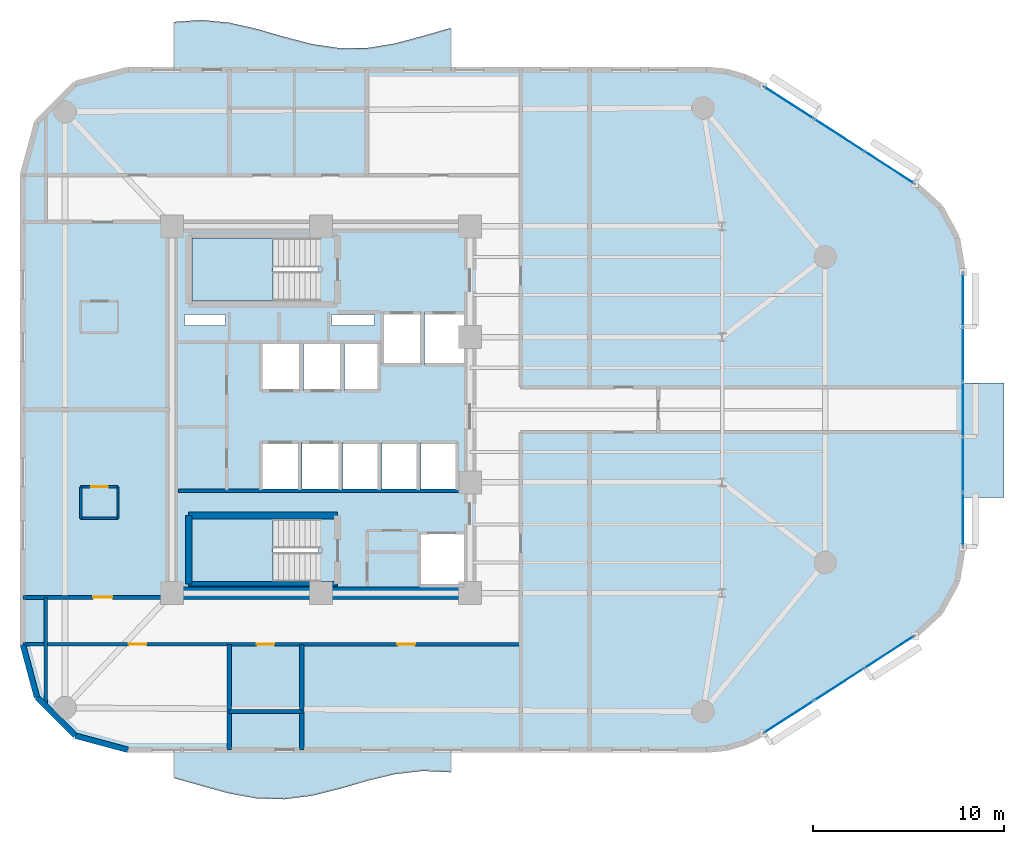
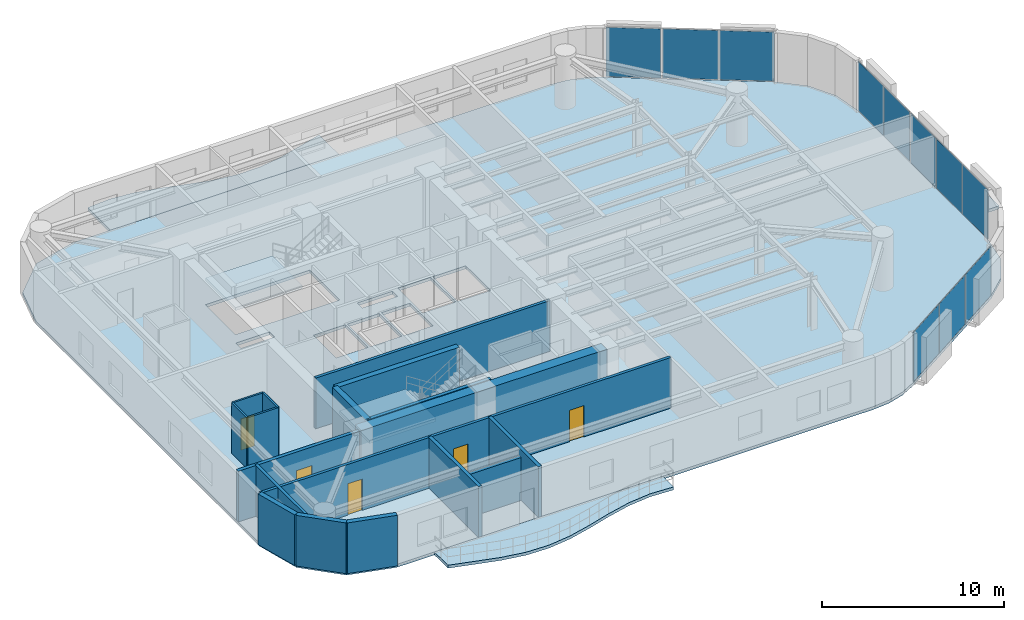
# One storey, part 9 of 15: 18 walls, 11 plates, 6 slabs, 5 doors, 5 openings, 5 elements without a shape of their own.
"""IFC4 building model written with IfcOpenShell, lengths in metres."""

from ifc_helpers import new_model, si_unit, direction, frame, frame_2d, origin, origin_2d, place, context, subcontext, project, spatial, polyline, rectangle, outline, extrude, material, layer, layer_set, type_object, element, fill, aggregate, save


model = new_model("IFC4")

# Units and contexts
model_context = context("Model", 3, precision=1e-05, world=origin(), true_north=direction((0.0, 1.0)))
body_context = subcontext(model_context, "Body", "Model", "MODEL_VIEW")
ifc_project = project(units=[si_unit("LENGTHUNIT", "METRE"), si_unit("AREAUNIT", "SQUARE_METRE"), si_unit("VOLUMEUNIT", "CUBIC_METRE"), si_unit("PLANEANGLEUNIT", "RADIAN"), si_unit("MASSUNIT", "GRAM", prefix="KILO")], contexts=[model_context])

# Site, building, storey
site_placement = place(None, origin())
site = spatial("IfcSite", under=ifc_project, at=site_placement, CompositionType="ELEMENT")
building_placement = place(site_placement, origin())
building = spatial("IfcBuilding", under=site, at=building_placement, Name="An Khanh Terracotta Commons", CompositionType="ELEMENT")
storey_placement = place(building_placement, frame((0.0, 0.0, 176.199951171875)))
storey = spatial("IfcBuildingStorey", under=building, at=storey_placement, Name="L46", CompositionType="ELEMENT", Elevation=176.199951171875)

# Curtain wall, plates
ifc_material_1 = material(Name="Anodised Aluminium 6063-T6", Category="aluminium")
ifc_layer_1 = layer(ifc_material_1, 0.2099609375, Name="Anodised Aluminium 6063-T6")
ifc_layer_set_1 = layer_set([ifc_layer_1], Name="Anodised Aluminium 6063-T6")
curtain_wall_type = type_object("IfcCurtainWallType", Name="CW-SYS-03", PredefinedType="USERDEFINED", material=ifc_layer_set_1)
curtain_wall_1_placement = place(storey_placement, origin())
curtain_wall_1 = element("IfcCurtainWall", 1, at=curtain_wall_1_placement, inside=storey, type_object=curtain_wall_type, Name="L46 CW-03 Unitised Curtain Wall CW-L46-08", ObjectType="UNITISED CURTAIN WALL", PredefinedType="USERDEFINED")
ifc_material_2 = material(Name="Acoustic Laminated Low-E Glazing", Category="glass")
ifc_layer_2 = layer(ifc_material_2, 0.035888671875, Name="Acoustic Laminated Low-E Glazing")
ifc_layer_set_2 = layer_set([ifc_layer_2], Name="Acoustic Laminated Low-E Glazing")
plate_type = type_object("IfcPlateType", Name="CWP-IGU-36", PredefinedType="CURTAIN_PANEL", material=ifc_layer_set_2)
plate_1_placement = place(storey_placement, frame((53.894287109375, 7.935546875, 0.0498046875), z_axis=(0.0, 0.0, 1.0), x_axis=(0.840702081986, 0.541497931062, 0.0)))
plate_1 = element("IfcPlate", 2, at=plate_1_placement, type_object=plate_type, Name="CW-03 panel 1.1", PredefinedType="CURTAIN_PANEL", context=body_context, shape_type="SweptSolid", body=[
    extrude(rectangle(XDim=3.034423828125, YDim=0.035888671875, at=origin_2d()), origin(), (0.0, 0.0, 1.0), 3.300048828125),
])
plate_2_placement = place(storey_placement, frame((56.51904296875, 9.6259765625, 0.0498046875), z_axis=(0.0, 0.0, 1.0), x_axis=(0.840702081986, 0.541497931062, 0.0)))
plate_2 = element("IfcPlate", 3, at=plate_2_placement, type_object=plate_type, Name="CW-03 panel 2.1", PredefinedType="CURTAIN_PANEL", context=body_context, shape_type="SweptSolid", body=[
    extrude(rectangle(XDim=3.0693359375, YDim=0.035888671875, at=origin_2d()), origin(), (0.0, 0.0, 1.0), 3.300048828125),
])
plate_3_placement = place(storey_placement, frame((59.1435546875, 11.31640625, 0.0498046875), z_axis=(0.0, 0.0, 1.0), x_axis=(0.840702081986, 0.541497931062, 0.0)))
plate_3 = element("IfcPlate", 4, at=plate_3_placement, type_object=plate_type, Name="CW-03 panel 3.1", PredefinedType="CURTAIN_PANEL", context=body_context, shape_type="SweptSolid", body=[
    extrude(rectangle(XDim=3.034423828125, YDim=0.035888671875, at=origin_2d()), origin(), (0.0, 0.0, 1.0), 3.300048828125),
])
aggregate(curtain_wall_1, [plate_1, plate_2, plate_3])

curtain_wall_2_placement = place(storey_placement, origin())
curtain_wall_2 = element("IfcCurtainWall", 5, at=curtain_wall_2_placement, inside=storey, type_object=curtain_wall_type, Name="L46 CW-03 Unitised Curtain Wall CW-L46-12", ObjectType="UNITISED CURTAIN WALL", PredefinedType="USERDEFINED")
plate_4_placement = place(storey_placement, frame((63.0, 18.257568359375, 0.0498046875), z_axis=(0.0, 0.0, 1.0), x_axis=(0.0, 1.0, 0.0)))
plate_4 = element("IfcPlate", 6, at=plate_4_placement, type_object=plate_type, Name="CW-03 panel 1.1", PredefinedType="CURTAIN_PANEL", context=body_context, shape_type="SweptSolid", body=[
    extrude(rectangle(XDim=2.77490234375, YDim=0.035888671875, at=origin_2d()), origin(), (0.0, 0.0, 1.0), 3.300048828125),
])
plate_5_placement = place(storey_placement, frame((63.0, 21.1201171875, 0.0498046875), z_axis=(0.0, 0.0, 1.0), x_axis=(0.0, 1.0, 0.0)))
plate_5 = element("IfcPlate", 7, at=plate_5_placement, type_object=plate_type, Name="CW-03 panel 2.1", PredefinedType="CURTAIN_PANEL", context=body_context, shape_type="SweptSolid", body=[
    extrude(rectangle(XDim=2.81005859375, YDim=0.035888671875, at=origin_2d()), origin(), (0.0, 0.0, 1.0), 3.300048828125),
])
plate_6_placement = place(storey_placement, frame((63.0, 24.0, 0.0498046875), z_axis=(0.0, 0.0, 1.0), x_axis=(0.0, 1.0, 0.0)))
plate_6 = element("IfcPlate", 8, at=plate_6_placement, type_object=plate_type, Name="CW-03 panel 3.1", PredefinedType="CURTAIN_PANEL", context=body_context, shape_type="SweptSolid", body=[
    extrude(rectangle(XDim=2.81005859375, YDim=0.035888671875, at=origin_2d()), origin(), (0.0, 0.0, 1.0), 3.300048828125),
])
plate_7_placement = place(storey_placement, frame((63.0, 26.8798828125, 0.0498046875), z_axis=(0.0, 0.0, 1.0), x_axis=(0.0, 1.0, 0.0)))
plate_7 = element("IfcPlate", 9, at=plate_7_placement, type_object=plate_type, Name="CW-03 panel 4.1", PredefinedType="CURTAIN_PANEL", context=body_context, shape_type="SweptSolid", body=[
    extrude(rectangle(XDim=2.81005859375, YDim=0.035888671875, at=origin_2d()), origin(), (0.0, 0.0, 1.0), 3.300048828125),
])
plate_8_placement = place(storey_placement, frame((63.0, 29.742431640625, 0.0498046875), z_axis=(0.0, 0.0, 1.0), x_axis=(0.0, 1.0, 0.0)))
plate_8 = element("IfcPlate", 10, at=plate_8_placement, type_object=plate_type, Name="CW-03 panel 5.1", PredefinedType="CURTAIN_PANEL", context=body_context, shape_type="SweptSolid", body=[
    extrude(rectangle(XDim=2.77490234375, YDim=0.035888671875, at=origin_2d()), origin(), (0.0, 0.0, 1.0), 3.300048828125),
])
aggregate(curtain_wall_2, [plate_4, plate_5, plate_6, plate_7, plate_8])

curtain_wall_3_placement = place(storey_placement, origin())
curtain_wall_3 = element("IfcCurtainWall", 11, at=curtain_wall_3_placement, inside=storey, type_object=curtain_wall_type, Name="L46 CW-03 Unitised Curtain Wall CW-L46-16", ObjectType="UNITISED CURTAIN WALL", PredefinedType="USERDEFINED")
plate_9_placement = place(storey_placement, frame((59.1435546875, 36.68359375, 0.0498046875), z_axis=(0.0, 0.0, 1.0), x_axis=(-0.840702081986, 0.541497931062, 0.0)))
plate_9 = element("IfcPlate", 12, at=plate_9_placement, type_object=plate_type, Name="CW-03 panel 1.1", PredefinedType="CURTAIN_PANEL", context=body_context, shape_type="SweptSolid", body=[
    extrude(rectangle(XDim=3.034423828125, YDim=0.035888671875, at=origin_2d()), origin(), (0.0, 0.0, 1.0), 3.300048828125),
])
plate_10_placement = place(storey_placement, frame((56.51904296875, 38.3740234375, 0.0498046875), z_axis=(0.0, 0.0, 1.0), x_axis=(-0.840702081986, 0.541497931062, 0.0)))
plate_10 = element("IfcPlate", 13, at=plate_10_placement, type_object=plate_type, Name="CW-03 panel 2.1", PredefinedType="CURTAIN_PANEL", context=body_context, shape_type="SweptSolid", body=[
    extrude(rectangle(XDim=3.0693359375, YDim=0.035888671875, at=origin_2d()), origin(), (0.0, 0.0, 1.0), 3.300048828125),
])
plate_11_placement = place(storey_placement, frame((53.894287109375, 40.064453125, 0.0498046875), z_axis=(0.0, 0.0, 1.0), x_axis=(-0.840702081986, 0.541497931062, 0.0)))
plate_11 = element("IfcPlate", 14, at=plate_11_placement, type_object=plate_type, Name="CW-03 panel 3.1", PredefinedType="CURTAIN_PANEL", context=body_context, shape_type="SweptSolid", body=[
    extrude(rectangle(XDim=3.034423828125, YDim=0.035888671875, at=origin_2d()), origin(), (0.0, 0.0, 1.0), 3.300048828125),
])
aggregate(curtain_wall_3, [plate_9, plate_10, plate_11])

# Slabs
ifc_material_3 = material(Name="Concrete C40/50", Category="concrete")
ifc_layer_3 = layer(ifc_material_3, 0.199951171875, Name="Concrete C40/50")
ifc_layer_set_3 = layer_set([ifc_layer_3], Name="Concrete C40/50")
slab_type_1 = type_object("IfcSlabType", Name="SLAB-BALC-200", PredefinedType="FLOOR", material=ifc_layer_set_3)
slab_1_placement = place(storey_placement, frame((0.0, 0.0, -0.199951171875)))
element("IfcSlab", 15, at=slab_1_placement, inside=storey, type_object=slab_type_1, Name="L46 S Sinusoidal Wave Balcony Slab", PredefinedType="FLOOR", context=body_context, shape_type="SweptSolid", body=[
    extrude(outline(polyline([(21.699951171875, 6.199951171875), (21.699951171875, 4.72509765625), (23.14990234375, 4.31591796875), (24.60009765625, 3.9169921875), (26.050048828125, 3.655029296875), (27.5, 3.613037109375), (28.949951171875, 3.802978515625), (30.39990234375, 4.1650390625), (31.85009765625, 4.5859375), (33.300048828125, 4.93310546875), (34.75, 5.094970703125), (36.199951171875, 5.02294921875), (36.199951171875, 6.199951171875), (21.699951171875, 6.199951171875)])), origin(), (0.0, 0.0, 1.0), 0.199951171875),
])
slab_2_placement = place(storey_placement, frame((0.0, 0.0, -0.199951171875)))
element("IfcSlab", 16, at=slab_2_placement, inside=storey, type_object=slab_type_1, Name="L46 N Sinusoidal Wave Balcony Slab", PredefinedType="FLOOR", context=body_context, shape_type="SweptSolid", body=[
    extrude(outline(polyline([(36.199951171875, 41.800048828125), (36.199951171875, 43.98193359375), (34.75, 43.56689453125), (33.300048828125, 43.177978515625), (31.85009765625, 42.93798828125), (30.39990234375, 42.923095703125), (28.949951171875, 43.136962890625), (27.5, 43.512939453125), (26.050048828125, 43.931884765625), (24.60009765625, 44.261962890625), (23.14990234375, 44.39892578125), (21.699951171875, 44.300048828125), (21.699951171875, 41.800048828125), (36.199951171875, 41.800048828125)])), origin(), (0.0, 0.0, 1.0), 0.199951171875),
])
ifc_layer_4 = layer(ifc_material_3, 0.22998046875, Name="Concrete C40/50")
ifc_layer_set_4 = layer_set([ifc_layer_4], Name="Concrete C40/50")
slab_type_2 = type_object("IfcSlabType", Name="SLAB-BOXROOF-230", PredefinedType="ROOF", material=ifc_layer_set_4)
slab_3_placement = place(storey_placement, frame((0.0, 0.0, -0.199951171875)))
element("IfcSlab", 17, at=slab_3_placement, inside=storey, type_object=slab_type_2, Name="L46 Shifted Social Kitchen Box Closing Roof Slab (L45)", PredefinedType="ROOF", context=body_context, shape_type="SweptSolid", body=[
    extrude(outline(polyline([(63.0, 19.39990234375), (65.14990234375, 19.39990234375), (65.14990234375, 25.39990234375), (63.0, 25.39990234375), (63.0, 19.39990234375)])), origin(), (0.0, 0.0, 1.0), 0.199951171875),
])

# Stair, slab
ifc_material_4 = material(Name="Precast concrete C40/50", Category="concrete")
stair_type = type_object("IfcStairType", Name="STAIR-CORE-1550", PredefinedType="HALF_TURN_STAIR", material=ifc_material_4)
stair_1_placement = place(storey_placement, origin())
stair_1 = element("IfcStair", 18, at=stair_1_placement, inside=storey, type_object=stair_type, Name="L46 Core Smokeproof Exit Stair ST-01", PredefinedType="HALF_TURN_STAIR")
ifc_layer_5 = layer(ifc_material_3, 0.18994140625, Name="Concrete C40/50")
ifc_layer_set_5 = layer_set([ifc_layer_5], Name="Concrete C40/50")
slab_type_3 = type_object("IfcSlabType", Name="SLAB-LANDING-190", PredefinedType="LANDING", material=ifc_layer_set_5)
slab_4_placement = place(storey_placement, frame((0.0, 0.0, 1.60009765625)))
slab_4 = element("IfcSlab", 19, at=slab_4_placement, type_object=slab_type_3, Name="ST-01 landing 1", PredefinedType="LANDING", context=body_context, shape_type="SweptSolid", body=[
    extrude(outline(polyline([(26.889892578125, 33.0), (22.64990234375, 33.0), (22.64990234375, 29.699951171875), (26.889892578125, 29.699951171875), (26.889892578125, 33.0)])), origin(), (0.0, 0.0, 1.0), 0.199951171875),
])
aggregate(stair_1, [slab_4])

stair_2_placement = place(storey_placement, origin())
stair_2 = element("IfcStair", 20, at=stair_2_placement, inside=storey, type_object=stair_type, Name="L46 Core Smokeproof Exit Stair ST-02", PredefinedType="HALF_TURN_STAIR")
slab_5_placement = place(storey_placement, frame((0.0, 0.0, 1.60009765625)))
slab_5 = element("IfcSlab", 21, at=slab_5_placement, type_object=slab_type_3, Name="ST-02 landing 1", PredefinedType="LANDING", context=body_context, shape_type="SweptSolid", body=[
    extrude(outline(polyline([(26.889892578125, 18.300048828125), (22.64990234375, 18.300048828125), (22.64990234375, 15.0), (26.889892578125, 15.0), (26.889892578125, 18.300048828125)])), origin(), (0.0, 0.0, 1.0), 0.199951171875),
])
aggregate(stair_2, [slab_5])

# Slab
ifc_layer_6 = layer(ifc_material_3, 0.199951171875, Name="Concrete C40/50")
ifc_layer_set_6 = layer_set([ifc_layer_6], Name="Concrete C40/50")
slab_type_4 = type_object("IfcSlabType", Name="SLAB-TYP-200", PredefinedType="FLOOR", material=ifc_layer_set_6)
slab_6_placement = place(storey_placement, frame((0.0, 0.0, -0.199951171875)))
element("IfcSlab", 22, at=slab_6_placement, inside=storey, type_object=slab_type_4, Name="L46 Structural Floor Slab", PredefinedType="FLOOR", context=body_context, shape_type="SweptSolid", body=[
    extrude(outline(polyline([(13.800048828125, 11.699951171875), (14.537109375, 8.949951171875), (16.550048828125, 6.93701171875), (19.300048828125, 6.199951171875), (49.58203125, 6.199951171875), (50.625, 6.300048828125), (51.6298828125, 6.594970703125), (52.56005859375, 7.075927734375), (60.47802734375, 12.176025390625), (61.825927734375, 13.403076171875), (62.697998046875, 15.0029296875), (63.0, 16.800048828125), (63.0, 31.199951171875), (62.697998046875, 32.9970703125), (61.825927734375, 34.596923828125), (60.47802734375, 35.823974609375), (52.56005859375, 40.924072265625), (51.6298828125, 41.405029296875), (50.625, 41.699951171875), (49.58203125, 41.800048828125), (19.300048828125, 41.800048828125), (16.550048828125, 41.06298828125), (14.537109375, 39.050048828125), (13.800048828125, 36.300048828125), (13.800048828125, 11.699951171875)]), holes=[polyline([(22.64990234375, 29.699951171875), (29.27001953125, 29.699951171875), (29.27001953125, 33.0), (22.64990234375, 33.0), (22.64990234375, 29.699951171875)]), polyline([(22.64990234375, 15.0), (29.27001953125, 15.0), (29.27001953125, 18.300048828125), (22.64990234375, 18.300048828125), (22.64990234375, 15.0)]), polyline([(32.60009765625, 26.35009765625), (34.679931640625, 26.35009765625), (34.679931640625, 29.080078125), (32.60009765625, 29.080078125), (32.60009765625, 26.35009765625)]), polyline([(34.820068359375, 26.35009765625), (36.89990234375, 26.35009765625), (36.89990234375, 29.080078125), (34.820068359375, 29.080078125), (34.820068359375, 26.35009765625)]), polyline([(34.550048828125, 14.800048828125), (36.89990234375, 14.800048828125), (36.89990234375, 17.550048828125), (34.550048828125, 17.550048828125), (34.550048828125, 14.800048828125)]), polyline([(26.320068359375, 25.0), (28.340087890625, 25.0), (28.340087890625, 27.5), (26.320068359375, 27.5), (26.320068359375, 25.0)]), polyline([(28.47998046875, 25.0), (30.5, 25.0), (30.5, 27.5), (28.47998046875, 27.5), (28.47998046875, 25.0)]), polyline([(26.280029296875, 19.800048828125), (28.280029296875, 19.800048828125), (28.280029296875, 22.300048828125), (26.280029296875, 22.300048828125), (26.280029296875, 19.800048828125)]), polyline([(28.419921875, 19.800048828125), (30.419921875, 19.800048828125), (30.419921875, 22.300048828125), (28.419921875, 22.300048828125), (28.419921875, 19.800048828125)]), polyline([(30.639892578125, 25.0), (32.4599609375, 25.0), (32.4599609375, 27.5), (30.639892578125, 27.5), (30.639892578125, 25.0)]), polyline([(30.56005859375, 19.800048828125), (32.4599609375, 19.800048828125), (32.4599609375, 22.300048828125), (30.56005859375, 22.300048828125), (30.56005859375, 19.800048828125)]), polyline([(32.60009765625, 19.800048828125), (34.5, 19.800048828125), (34.5, 22.300048828125), (32.60009765625, 22.300048828125), (32.60009765625, 19.800048828125)]), polyline([(34.639892578125, 19.800048828125), (36.5400390625, 19.800048828125), (36.5400390625, 22.300048828125), (34.639892578125, 22.300048828125), (34.639892578125, 19.800048828125)]), polyline([(22.25, 28.419921875), (24.39990234375, 28.419921875), (24.39990234375, 28.97998046875), (22.25, 28.97998046875), (22.25, 28.419921875)]), polyline([(29.949951171875, 28.419921875), (32.199951171875, 28.419921875), (32.199951171875, 28.97998046875), (29.949951171875, 28.97998046875), (29.949951171875, 28.419921875)])]), origin(), (0.0, 0.0, 1.0), 0.199951171875),
])

# Walls
ifc_material_5 = material(Name="Concrete C60/75", Category="concrete")
ifc_layer_7 = layer(ifc_material_5, 0.64990234375, Name="Concrete C60/75")
ifc_layer_set_7 = layer_set([ifc_layer_7], Name="Concrete C60/75")
wall_type_1 = type_object("IfcWallType", Name="WALL-CORE-650", PredefinedType="SHEAR", material=ifc_layer_set_7)
wall_1_placement = place(storey_placement, frame((37.199951171875, 14.39990234375, 0.0), z_axis=(0.0, 0.0, 1.0), x_axis=(-1.0, 0.0, 0.0)))
element("IfcWall", 23, at=wall_1_placement, inside=storey, type_object=wall_type_1, Name="L46 Core Wall CWALL-L46-S", PredefinedType="SHEAR", context=body_context, shape_type="SweptSolid", body=[
    extrude(rectangle(XDim=15.599853515625, YDim=0.64990234375, at=frame_2d((7.7998046875, 0.0))), origin(), (0.0, 0.0, 1.0), 3.400146484375),
])
ifc_material_6 = material(Name="Fire-Rated Gypsum Board on Steel Stud", Category="steel")
ifc_layer_8 = layer(ifc_material_6, 0.179931640625, Name="Fire-Rated Gypsum Board on Steel Stud")
ifc_layer_set_8 = layer_set([ifc_layer_8], Name="Fire-Rated Gypsum Board on Steel Stud")
wall_type_2 = type_object("IfcWallType", Name="WALL-CORR-180", PredefinedType="PARTITIONING", material=ifc_layer_set_8)
wall_2_placement = place(storey_placement, frame((21.949951171875, 19.760009765625, 0.0), z_axis=(0.0, 0.0, 1.0), x_axis=(1.0, 0.0, 0.0)))
element("IfcWall", 24, at=wall_2_placement, inside=storey, type_object=wall_type_2, Name="L46 Core Wall SVW-L46-N", PredefinedType="PARTITIONING", context=body_context, shape_type="SweptSolid", body=[
    extrude(rectangle(XDim=14.8701171875, YDim=0.179931640625, at=frame_2d((7.43505859375, 0.0))), origin(), (0.0, 0.0, 1.0), 3.400146484375),
])

# Wall, openings, doors
wall_3_placement = place(storey_placement, frame((13.800048828125, 11.719970703125, 0.0), z_axis=(0.0, 0.0, 1.0), x_axis=(1.0, 0.0, 0.0)))
wall_3 = element("IfcWall", 25, at=wall_3_placement, inside=storey, type_object=wall_type_2, Name="L46 Interior Partition IW-L46-E002", PredefinedType="PARTITIONING", context=body_context, shape_type="SweptSolid", body=[
    extrude(rectangle(XDim=26.050048828125, YDim=0.179931640625, at=frame_2d((13.02490234375, 0.0))), origin(), (0.0, 0.0, 1.0), 3.400146484375),
])
opening_1_placement = place(wall_3_placement, frame((12.239990234375, 0.0, 0.0)))
opening_1 = element("IfcOpeningElement", 26, at=opening_1_placement, cuts=wall_3, Name="Opening D-RM", PredefinedType="OPENING", context=body_context, shape_type="SweptSolid", body=[
    extrude(rectangle(XDim=0.919921875, YDim=2.10009765625, at=frame_2d((0.4599609375, 1.050048828125))), frame((0.0, 0.099853515625, 0.0), z_axis=(0.0, -1.0, 0.0), x_axis=(1.0, 0.0, 0.0)), (0.0, 0.0, 1.0), 0.199951171875),
])
opening_2_placement = place(wall_3_placement, frame((5.5400390625, 0.0, 0.0)))
opening_2 = element("IfcOpeningElement", 27, at=opening_2_placement, cuts=wall_3, Name="Opening D-RM", PredefinedType="OPENING", context=body_context, shape_type="SweptSolid", body=[
    extrude(rectangle(XDim=0.919921875, YDim=2.10009765625, at=frame_2d((0.4599609375, 1.050048828125))), frame((0.0, 0.099853515625, 0.0), z_axis=(0.0, -1.0, 0.0), x_axis=(1.0, 0.0, 0.0)), (0.0, 0.0, 1.0), 0.199951171875),
])
opening_3_placement = place(wall_3_placement, frame((19.60498046875, 0.0, 0.0)))
opening_3 = element("IfcOpeningElement", 28, at=opening_3_placement, cuts=wall_3, Name="Opening D-RM", PredefinedType="OPENING", context=body_context, shape_type="SweptSolid", body=[
    extrude(rectangle(XDim=0.919921875, YDim=2.10009765625, at=frame_2d((0.4599609375, 1.050048828125))), frame((0.0, 0.099853515625, 0.0), z_axis=(0.0, -1.0, 0.0), x_axis=(1.0, 0.0, 0.0)), (0.0, 0.0, 1.0), 0.199951171875),
])
ifc_material_7 = material(Name="Engineered Hardwood Timber Leaf", Category="wood")
door_type_1 = type_object("IfcDoorType", Name="DOOR-INT-920", OperationType="NOTDEFINED", PredefinedType="DOOR", material=ifc_material_7)
door_1_placement = place(opening_1_placement, origin())
door_1 = element("IfcDoor", 29, at=door_1_placement, inside=storey, type_object=door_type_1, Name="L46 HKP Housekeeping Linen Store Door", OperationType="SINGLE_SWING_RIGHT", OverallHeight=2.10009765625, OverallWidth=0.919921875, PredefinedType="DOOR", context=body_context, shape_type="SweptSolid", body=[
    extrude(rectangle(XDim=0.919921875, YDim=2.10009765625, at=frame_2d((0.4599609375, 1.050048828125))), frame((0.0, 0.02490234375, 0.0), z_axis=(0.0, -1.0, 0.0), x_axis=(1.0, 0.0, 0.0)), (0.0, 0.0, 1.0), 0.050048828125),
])
fill(opening_1, door_1)
door_2_placement = place(opening_2_placement, origin())
door_2 = element("IfcDoor", 30, at=door_2_placement, inside=storey, type_object=door_type_1, Name="L46 SW1 Academic Seminar Room Door", OperationType="SINGLE_SWING_RIGHT", OverallHeight=2.10009765625, OverallWidth=0.919921875, PredefinedType="DOOR", context=body_context, shape_type="SweptSolid", body=[
    extrude(rectangle(XDim=0.919921875, YDim=2.10009765625, at=frame_2d((0.4599609375, 1.050048828125))), frame((0.0, 0.02490234375, 0.0), z_axis=(0.0, -1.0, 0.0), x_axis=(1.0, 0.0, 0.0)), (0.0, 0.0, 1.0), 0.050048828125),
])
fill(opening_2, door_2)
door_3_placement = place(opening_3_placement, origin())
door_3 = element("IfcDoor", 31, at=door_3_placement, inside=storey, type_object=door_type_1, Name="L46 SWE Music Practice Room Door", OperationType="SINGLE_SWING_LEFT", OverallHeight=2.10009765625, OverallWidth=0.919921875, PredefinedType="DOOR", context=body_context, shape_type="SweptSolid", body=[
    extrude(rectangle(XDim=0.919921875, YDim=2.10009765625, at=frame_2d((0.4599609375, 1.050048828125))), frame((0.0, 0.02490234375, 0.0), z_axis=(0.0, -1.0, 0.0), x_axis=(1.0, 0.0, 0.0)), (0.0, 0.0, 1.0), 0.050048828125),
])
fill(opening_3, door_3)

# Walls
wall_4_placement = place(storey_placement, frame((15.0, 8.487060546875, 0.0), z_axis=(0.0, 0.0, 1.0), x_axis=(0.0, 1.0, 0.0)))
element("IfcWall", 32, at=wall_4_placement, inside=storey, type_object=wall_type_2, Name="L46 Interior Partition IW-L46-E010", PredefinedType="PARTITIONING", context=body_context, shape_type="SweptSolid", body=[
    extrude(rectangle(XDim=5.69287109375, YDim=0.179931640625, at=frame_2d((2.846435546875, 0.0))), origin(), (0.0, 0.0, 1.0), 3.400146484375),
])
ifc_layer_9 = layer(ifc_material_4, 0.300048828125, Name="Precast concrete C40/50")
ifc_layer_set_9 = layer_set([ifc_layer_9], Name="Precast concrete C40/50")
wall_type_3 = type_object("IfcWallType", Name="WALL-EXT-300", PredefinedType="SOLIDWALL", material=ifc_layer_set_9)
wall_5_placement = place(storey_placement, frame((13.800048828125, 11.699951171875, 0.0), z_axis=(0.0, 0.0, 1.0), x_axis=(0.258884674387, -0.965908238586, 0.0)))
element("IfcWall", 33, at=wall_5_placement, inside=storey, type_object=wall_type_3, Name="L46 Insulated Terracotta Exterior Wall 1", PredefinedType="SOLIDWALL", context=body_context, shape_type="SweptSolid", body=[
    extrude(rectangle(XDim=2.84716796875, YDim=0.300048828125, at=frame_2d((1.423583984375, 0.0))), origin(), (0.0, 0.0, 1.0), 3.400146484375),
])
wall_6_placement = place(storey_placement, frame((14.537109375, 8.949951171875, 0.0), z_axis=(0.0, 0.0, 1.0), x_axis=(0.707106781187, -0.707106781187, 0.0)))
element("IfcWall", 34, at=wall_6_placement, inside=storey, type_object=wall_type_3, Name="L46 Insulated Terracotta Exterior Wall 2", PredefinedType="SOLIDWALL", context=body_context, shape_type="SweptSolid", body=[
    extrude(rectangle(XDim=2.8466796875, YDim=0.300048828125, at=frame_2d((1.42333984375, 0.0))), origin(), (0.0, 0.0, 1.0), 3.400146484375),
])
wall_7_placement = place(storey_placement, frame((16.550048828125, 6.93701171875, 0.0), z_axis=(0.0, 0.0, 1.0), x_axis=(0.965908238586, -0.258884674387, 0.0)))
element("IfcWall", 35, at=wall_7_placement, inside=storey, type_object=wall_type_3, Name="L46 Insulated Terracotta Exterior Wall 3", PredefinedType="SOLIDWALL", context=body_context, shape_type="SweptSolid", body=[
    extrude(rectangle(XDim=2.84716796875, YDim=0.300048828125, at=frame_2d((1.423583984375, 0.0))), origin(), (0.0, 0.0, 1.0), 3.400146484375),
])
ifc_material_8 = material(Name="Acoustic Double-Stud Gypsum and Mineral Wool")
ifc_layer_10 = layer(ifc_material_8, 0.219970703125, Name="Acoustic Double-Stud Gypsum and Mineral Wool")
ifc_layer_set_10 = layer_set([ifc_layer_10], Name="Acoustic Double-Stud Gypsum and Mineral Wool")
wall_type_4 = type_object("IfcWallType", Name="WALL-PARTY-220", PredefinedType="PARTITIONING", material=ifc_layer_set_10)
wall_8_placement = place(storey_placement, frame((22.47998046875, 14.889892578125, 0.0), z_axis=(0.0, 0.0, 1.0), x_axis=(1.0, 0.0, 0.0)))
element("IfcWall", 36, at=wall_8_placement, inside=storey, type_object=wall_type_4, Name="L46 Core Wall STW-L46-S-S", PredefinedType="PARTITIONING", context=body_context, shape_type="SweptSolid", body=[
    extrude(rectangle(XDim=7.7900390625, YDim=0.219970703125, at=frame_2d((3.89501953125, 0.0))), origin(), (0.0, 0.0, 1.0), 3.400146484375),
])
wall_9_placement = place(storey_placement, frame((24.60009765625, 8.199951171875, 0.0), z_axis=(0.0, 0.0, 1.0), x_axis=(1.0, 0.0, 0.0)))
element("IfcWall", 37, at=wall_9_placement, inside=storey, type_object=wall_type_4, Name="L46 Interior Partition IW-L46-E001", PredefinedType="PARTITIONING", context=body_context, shape_type="SweptSolid", body=[
    extrude(rectangle(XDim=3.7998046875, YDim=0.219970703125, at=frame_2d((1.89990234375, 0.0))), origin(), (0.0, 0.0, 1.0), 2.882080078125),
])

# Wall, opening, door
wall_10_placement = place(storey_placement, frame((13.800048828125, 14.179931640625, 0.0), z_axis=(0.0, 0.0, 1.0), x_axis=(1.0, 0.0, 0.0)))
wall_10 = element("IfcWall", 38, at=wall_10_placement, inside=storey, type_object=wall_type_4, Name="L46 Interior Partition IW-L46-E003", PredefinedType="PARTITIONING", context=body_context, shape_type="SweptSolid", body=[
    extrude(rectangle(XDim=7.679931640625, YDim=0.219970703125, at=frame_2d((3.83984375, 0.0))), origin(), (0.0, 0.0, 1.0), 3.400146484375),
])
opening_4_placement = place(wall_10_placement, frame((3.679931640625, 0.0, 0.0)))
opening_4 = element("IfcOpeningElement", 39, at=opening_4_placement, cuts=wall_10, Name="Opening D-UN", PredefinedType="OPENING", context=body_context, shape_type="SweptSolid", body=[
    extrude(rectangle(XDim=1.0, YDim=2.14990234375, at=frame_2d((0.5, 1.074951171875))), frame((0.0, 0.119873046875, 0.0), z_axis=(0.0, -1.0, 0.0), x_axis=(1.0, 0.0, 0.0)), (0.0, 0.0, 1.0), 0.239990234375),
])
ifc_material_9 = material(Name="Solid-Core Hardwood Acoustic Fire Door", Category="wood")
door_type_2 = type_object("IfcDoorType", Name="DOOR-UNIT-1000", OperationType="NOTDEFINED", PredefinedType="DOOR", material=ifc_material_9)
door_4_placement = place(opening_4_placement, origin())
door_4 = element("IfcDoor", 40, at=door_4_placement, inside=storey, type_object=door_type_2, Name="L46 WW1 Kitchenette and Studio Apartment Door", OperationType="SINGLE_SWING_RIGHT", OverallHeight=2.14990234375, OverallWidth=1.0, PredefinedType="DOOR", context=body_context, shape_type="SweptSolid", body=[
    extrude(rectangle(XDim=1.0, YDim=2.14990234375, at=frame_2d((0.5, 1.074951171875))), frame((0.0, 0.02490234375, 0.0), z_axis=(0.0, -1.0, 0.0), x_axis=(1.0, 0.0, 0.0)), (0.0, 0.0, 1.0), 0.050048828125),
])
fill(opening_4, door_4)

# Walls
for number, where, z_axis, x_axis, name in (
    (41, (24.60009765625, 6.199951171875, 0.0), (0.0, 0.0, 1.0), (0.0, 1.0, 0.0), "L46 Interior Partition IW-L46-E012"),
    (42, (28.39990234375, 6.199951171875, 0.0), (0.0, 0.0, 1.0), (0.0, 1.0, 0.0), "L46 Interior Partition IW-L46-E015"),
):
    element("IfcWall", number, at=place(storey_placement, frame(where, z_axis=z_axis, x_axis=x_axis)), inside=storey, type_object=wall_type_4, Name=name, PredefinedType="PARTITIONING", context=body_context, shape_type="SweptSolid", body=[
        extrude(rectangle(XDim=5.52001953125, YDim=0.219970703125, at=frame_2d((2.760009765625, 0.0))), origin(), (0.0, 0.0, 1.0), 3.400146484375),
    ])
ifc_material_10 = material(Name="Concrete C50/60", Category="concrete")
ifc_layer_11 = layer(ifc_material_10, 0.35009765625, Name="Concrete C50/60")
ifc_layer_set_11 = layer_set([ifc_layer_11], Name="Concrete C50/60")
wall_type_5 = type_object("IfcWallType", Name="WALL-SHAFT-350", PredefinedType="SOLIDWALL", material=ifc_layer_set_11)
wall_11_placement = place(storey_placement, frame((22.47998046875, 18.469970703125, 0.0), z_axis=(0.0, 0.0, 1.0), x_axis=(1.0, 0.0, 0.0)))
element("IfcWall", 43, at=wall_11_placement, inside=storey, type_object=wall_type_5, Name="L46 Core Wall STW-L46-S-N", PredefinedType="SOLIDWALL", context=body_context, shape_type="SweptSolid", body=[
    extrude(rectangle(XDim=7.7900390625, YDim=0.35009765625, at=frame_2d((3.89501953125, 0.0))), origin(), (0.0, 0.0, 1.0), 3.400146484375),
])
wall_12_placement = place(storey_placement, frame((22.47998046875, 14.889892578125, 0.0), z_axis=(0.0, 0.0, 1.0), x_axis=(0.0, 1.0, 0.0)))
element("IfcWall", 44, at=wall_12_placement, inside=storey, type_object=wall_type_5, Name="L46 Core Wall STW-L46-S-W", PredefinedType="SOLIDWALL", context=body_context, shape_type="SweptSolid", body=[
    extrude(rectangle(XDim=3.580078125, YDim=0.35009765625, at=frame_2d((1.7900390625, 0.0))), origin(), (0.0, 0.0, 1.0), 3.400146484375),
])

# Wall, opening, door
ifc_material_11 = material(Name="Moisture-Resistant Cement Board Partition")
ifc_layer_12 = layer(ifc_material_11, 0.1201171875, Name="Moisture-Resistant Cement Board Partition")
ifc_layer_set_12 = layer_set([ifc_layer_12], Name="Moisture-Resistant Cement Board Partition")
wall_type_6 = type_object("IfcWallType", Name="WALL-WET-120", PredefinedType="PARTITIONING", material=ifc_layer_set_12)
wall_13_placement = place(storey_placement, frame((16.824951171875, 19.965087890625, 0.0), z_axis=(0.0, 0.0, 1.0), x_axis=(1.0, 0.0, 0.0)))
wall_13 = element("IfcWall", 45, at=wall_13_placement, inside=storey, type_object=wall_type_6, Name="L46 Interior Partition IW-L46-WW1-BN", PredefinedType="PARTITIONING", context=body_context, shape_type="SweptSolid", body=[
    extrude(rectangle(XDim=1.949951171875, YDim=0.1201171875, at=frame_2d((0.97509765625, 0.0))), origin(), (0.0, 0.0, 1.0), 3.400146484375),
])
opening_5_placement = place(wall_13_placement, frame((0.544921875, 0.0, 0.0)))
opening_5 = element("IfcOpeningElement", 46, at=opening_5_placement, cuts=wall_13, Name="Opening D-ENS", PredefinedType="OPENING", context=body_context, shape_type="SweptSolid", body=[
    extrude(rectangle(XDim=0.860107421875, YDim=2.10009765625, at=frame_2d((0.43017578125, 1.050048828125))), frame((0.0, 0.070068359375, 0.0), z_axis=(0.0, -1.0, 0.0), x_axis=(1.0, 0.0, 0.0)), (0.0, 0.0, 1.0), 0.14013671875),
])
ifc_material_12 = material(Name="Moisture-Resistant Hardwood Timber Leaf", Category="wood")
door_type_3 = type_object("IfcDoorType", Name="DOOR-BATH-860", OperationType="NOTDEFINED", PredefinedType="DOOR", material=ifc_material_12)
door_5_placement = place(opening_5_placement, origin())
door_5 = element("IfcDoor", 47, at=door_5_placement, inside=storey, type_object=door_type_3, Name="L46 Studio WW1 En-suite Door", OperationType="SINGLE_SWING_RIGHT", OverallHeight=2.10009765625, OverallWidth=0.860107421875, PredefinedType="DOOR", context=body_context, shape_type="SweptSolid", body=[
    extrude(rectangle(XDim=0.860107421875, YDim=2.10009765625, at=frame_2d((0.43017578125, 1.050048828125))), frame((0.0, 0.02490234375, 0.0), z_axis=(0.0, -1.0, 0.0), x_axis=(1.0, 0.0, 0.0)), (0.0, 0.0, 1.0), 0.050048828125),
])
fill(opening_5, door_5)

# Walls
wall_14_placement = place(storey_placement, frame((18.77490234375, 18.31494140625, 0.0), z_axis=(0.0, 0.0, 1.0), x_axis=(-1.0, 0.0, 0.0)))
element("IfcWall", 48, at=wall_14_placement, inside=storey, type_object=wall_type_6, Name="L46 Interior Partition IW-L46-WW1-BS", PredefinedType="PARTITIONING", context=body_context, shape_type="SweptSolid", body=[
    extrude(rectangle(XDim=1.949951171875, YDim=0.1201171875, at=frame_2d((0.97509765625, 0.0))), origin(), (0.0, 0.0, 1.0), 3.400146484375),
])
for number, where, z_axis, x_axis, name in (
    (49, (16.824951171875, 19.965087890625, 0.0), (0.0, 0.0, 1.0), (0.0, -1.0, 0.0), "L46 Interior Partition IW-L46-WW1-BW"),
    (50, (18.77490234375, 18.31494140625, 0.0), (0.0, 0.0, 1.0), (0.0, 1.0, 0.0), "L46 Interior Partition IW-L46-WW1-BE"),
):
    element("IfcWall", number, at=place(storey_placement, frame(where, z_axis=z_axis, x_axis=x_axis)), inside=storey, type_object=wall_type_6, Name=name, PredefinedType="PARTITIONING", context=body_context, shape_type="SweptSolid", body=[
        extrude(rectangle(XDim=1.650146484375, YDim=0.1201171875, at=frame_2d((0.8251953125, 0.0))), origin(), (0.0, 0.0, 1.0), 3.400146484375),
    ])

save(model, "model.ifc")
